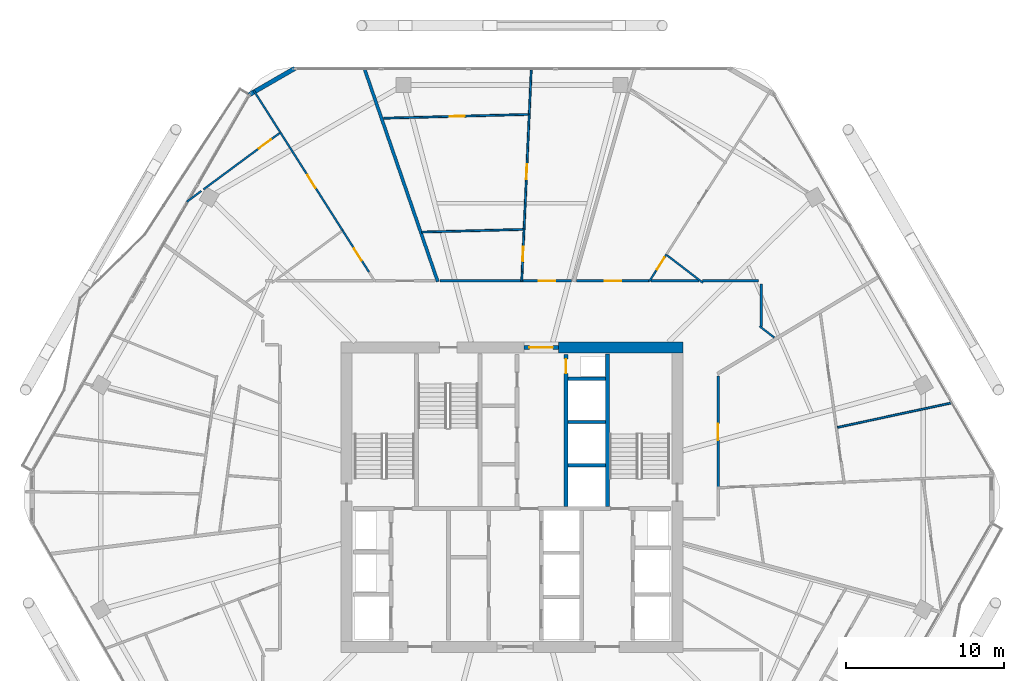
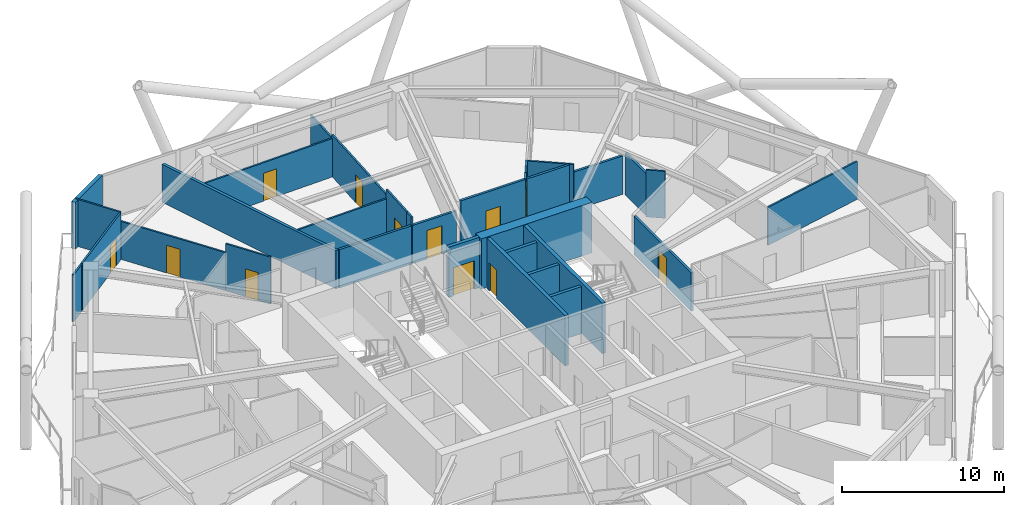
# One storey, part 24 of 28: 32 walls, 12 doors, 12 openings.
"""IFC4 building model written with IfcOpenShell, lengths in metres."""

from ifc_helpers import new_model, si_unit, direction, frame, frame_2d, origin, place, context, subcontext, project, spatial, rectangle, extrude, material, layer, layer_set, type_object, element, fill, save


model = new_model("IFC4")

# Units and contexts
model_context = context("Model", 3, precision=1e-05, world=origin(), true_north=direction((0.0, 1.0)))
body_context = subcontext(model_context, "Body", "Model", "MODEL_VIEW")
ifc_project = project(units=[si_unit("LENGTHUNIT", "METRE"), si_unit("AREAUNIT", "SQUARE_METRE"), si_unit("VOLUMEUNIT", "CUBIC_METRE"), si_unit("PLANEANGLEUNIT", "RADIAN"), si_unit("MASSUNIT", "GRAM", prefix="KILO")], contexts=[model_context])

# Site, building, storey
site_placement = place(None, origin())
site = spatial("IfcSite", under=ifc_project, at=site_placement, CompositionType="ELEMENT")
building_placement = place(site_placement, origin())
building = spatial("IfcBuilding", under=site, at=building_placement, Name="Zuhravey Tower", CompositionType="ELEMENT")
storey_placement = place(building_placement, frame((0.0, 0.0, 199.800048828125)))
storey = spatial("IfcBuildingStorey", under=building, at=storey_placement, Name="L50", CompositionType="ELEMENT", Elevation=199.800048828125)

# Wall
ifc_material_1 = material(Name="Concrete C60/75", Category="concrete")
ifc_layer_1 = layer(ifc_material_1, 0.699951171875)
ifc_layer_set_1 = layer_set([ifc_layer_1], Name="Concrete C60/75")
wall_type_1 = type_object("IfcWallType", Name="Core Shear Wall 700", PredefinedType="SHEAR", material=ifc_layer_set_1)
wall_1_placement = place(storey_placement, frame((46.85009765625, 41.5, 0.0), z_axis=(0.0, 0.0, 1.0), x_axis=(-1.0, 0.0, 0.0)))
element("IfcWall", 1, at=wall_1_placement, inside=storey, type_object=wall_type_1, Name="L50 North-East Core Shear Wall CW70", PredefinedType="SHEAR", context=body_context, shape_type="SweptSolid", body=[
    extrude(rectangle(XDim=7.900146484375, YDim=0.699951171875, at=frame_2d((3.9501953125, 0.0))), origin(), (0.0, 0.0, 1.0), 3.800048828125),
])

# Wall, opening, door
ifc_material_2 = material(Name="Gypsum fire-rated stud partition")
ifc_layer_2 = layer(ifc_material_2, 0.159912109375)
ifc_layer_set_2 = layer_set([ifc_layer_2], Name="Gypsum fire-rated stud partition")
wall_type_2 = type_object("IfcWallType", Name="Corridor Fire Partition 160", PredefinedType="PARTITIONING", material=ifc_layer_set_2)
wall_2_placement = place(storey_placement, frame((44.709716796875, 45.72998046875, 0.0), z_axis=(0.0, 0.0, 1.0), x_axis=(-1.0, 0.0, 0.0)))
wall_2 = element("IfcWall", 2, at=wall_2_placement, inside=storey, type_object=wall_type_2, Name="L50 IW16 Partition 024", PredefinedType="PARTITIONING", context=body_context, shape_type="SweptSolid", body=[
    extrude(rectangle(XDim=4.621826171875, YDim=0.159912109375, at=frame_2d((2.31103515625, 0.0))), origin(), (0.0, 0.0, 1.0), 3.550048828125),
])
opening_1_placement = place(wall_2_placement, frame((1.785888671875, 0.0, 0.0)))
opening_1 = element("IfcOpeningElement", 3, at=opening_1_placement, cuts=wall_2, Name="Opening APD1", PredefinedType="OPENING", context=body_context, shape_type="SweptSolid", body=[
    extrude(rectangle(XDim=1.050048828125, YDim=2.14990234375, at=frame_2d((0.52490234375, 1.074951171875))), frame((0.0, 0.092041015625, 0.0), z_axis=(0.0, -1.0, 0.0), x_axis=(1.0, 0.0, 0.0)), (0.0, 0.0, 1.0), 0.183837890625),
])
ifc_material_3 = material(Name="Solid-core oak fire-rated leaf")
door_type_1 = type_object("IfcDoorType", Name="Apartment Entrance Fire Door 1050x2150", OperationType="NOTDEFINED", PredefinedType="DOOR", material=ifc_material_3)
door_1_placement = place(opening_1_placement, frame((1.050048828125, 0.0, 0.0), z_axis=(0.0, 0.0, 1.0), x_axis=(-1.0, 0.0, 0.0)))
door_1 = element("IfcDoor", 4, at=door_1_placement, inside=storey, type_object=door_type_1, Name="L50 Door 024.1", OperationType="SINGLE_SWING_RIGHT", OverallHeight=2.14990234375, OverallWidth=1.050048828125, PredefinedType="DOOR", context=body_context, shape_type="SweptSolid", body=[
    extrude(rectangle(XDim=1.050048828125, YDim=2.14990234375, at=frame_2d((0.52490234375, 1.074951171875))), frame((0.0, 0.02490234375, 0.0), z_axis=(0.0, -1.0, 0.0), x_axis=(1.0, 0.0, 0.0)), (0.0, 0.0, 1.0), 0.050048828125),
])
fill(opening_1, door_1)

wall_3_placement = place(storey_placement, frame((39.786865234375, 45.72998046875, 0.0), z_axis=(0.0, 0.0, 1.0), x_axis=(-1.0, 0.0, 0.0)))
wall_3 = element("IfcWall", 5, at=wall_3_placement, inside=storey, type_object=wall_type_2, Name="L50 IW16 Partition 028", PredefinedType="PARTITIONING", context=body_context, shape_type="SweptSolid", body=[
    extrude(rectangle(XDim=3.148193359375, YDim=0.159912109375, at=frame_2d((1.57421875, 0.0))), origin(), (0.0, 0.0, 1.0), 2.89990234375),
])
opening_2_placement = place(wall_3_placement, frame((1.049072265625, 0.0, 0.0)))
opening_2 = element("IfcOpeningElement", 6, at=opening_2_placement, cuts=wall_3, Name="Opening APD1", PredefinedType="OPENING", context=body_context, shape_type="SweptSolid", body=[
    extrude(rectangle(XDim=1.050048828125, YDim=2.14990234375, at=frame_2d((0.52490234375, 1.074951171875))), frame((0.0, 0.092041015625, 0.0), z_axis=(0.0, -1.0, 0.0), x_axis=(1.0, 0.0, 0.0)), (0.0, 0.0, 1.0), 0.183837890625),
])
door_2_placement = place(opening_2_placement, frame((1.050048828125, 0.0, 0.0), z_axis=(0.0, 0.0, 1.0), x_axis=(-1.0, 0.0, 0.0)))
door_2 = element("IfcDoor", 7, at=door_2_placement, inside=storey, type_object=door_type_1, Name="L50 Door 028.1", OperationType="SINGLE_SWING_RIGHT", OverallHeight=2.14990234375, OverallWidth=1.050048828125, PredefinedType="DOOR", context=body_context, shape_type="SweptSolid", body=[
    extrude(rectangle(XDim=1.050048828125, YDim=2.14990234375, at=frame_2d((0.52490234375, 1.074951171875))), frame((0.0, 0.02490234375, 0.0), z_axis=(0.0, -1.0, 0.0), x_axis=(1.0, 0.0, 0.0)), (0.0, 0.0, 1.0), 0.050048828125),
])
fill(opening_2, door_2)

wall_4_placement = place(storey_placement, frame((49.080078125, 32.614013671875, 0.0), z_axis=(0.0, 0.0, 1.0), x_axis=(0.0, 1.0, 0.0)))
wall_4 = element("IfcWall", 8, at=wall_4_placement, inside=storey, type_object=wall_type_2, Name="L50 IW16 Partition 056", PredefinedType="PARTITIONING", context=body_context, shape_type="SweptSolid", body=[
    extrude(rectangle(XDim=7.0673828125, YDim=0.159912109375, at=frame_2d((3.53369140625, 0.0))), origin(), (0.0, 0.0, 1.0), 2.89990234375),
])
opening_3_placement = place(wall_4_placement, frame((3.0087890625, 0.0, 0.0)))
opening_3 = element("IfcOpeningElement", 9, at=opening_3_placement, cuts=wall_4, Name="Opening APD1", PredefinedType="OPENING", context=body_context, shape_type="SweptSolid", body=[
    extrude(rectangle(XDim=1.050048828125, YDim=2.14990234375, at=frame_2d((0.52490234375, 1.074951171875))), frame((0.0, 0.092041015625, 0.0), z_axis=(0.0, -1.0, 0.0), x_axis=(1.0, 0.0, 0.0)), (0.0, 0.0, 1.0), 0.183837890625),
])
door_3_placement = place(opening_3_placement, frame((1.050048828125, 0.0, 0.0), z_axis=(0.0, 0.0, 1.0), x_axis=(-1.0, 0.0, 0.0)))
door_3 = element("IfcDoor", 10, at=door_3_placement, inside=storey, type_object=door_type_1, Name="L50 Door 056.1", OperationType="SINGLE_SWING_LEFT", OverallHeight=2.14990234375, OverallWidth=1.050048828125, PredefinedType="DOOR", context=body_context, shape_type="SweptSolid", body=[
    extrude(rectangle(XDim=1.050048828125, YDim=2.14990234375, at=frame_2d((0.52490234375, 1.074951171875))), frame((0.0, 0.02490234375, 0.0), z_axis=(0.0, -1.0, 0.0), x_axis=(1.0, 0.0, 0.0)), (0.0, 0.0, 1.0), 0.050048828125),
])
fill(opening_3, door_3)

# Walls
wall_5_placement = place(storey_placement, frame((47.85791015625, 45.72998046875, 0.0), z_axis=(0.0, 0.0, 1.0), x_axis=(-1.0, 0.0, 0.0)))
element("IfcWall", 11, at=wall_5_placement, inside=storey, type_object=wall_type_2, Name="L50 IW16 Partition 119", PredefinedType="PARTITIONING", context=body_context, shape_type="SweptSolid", body=[
    extrude(rectangle(XDim=3.043701171875, YDim=0.159912109375, at=frame_2d((1.52197265625, 0.0))), origin(), (0.0, 0.0, 1.0), 3.550048828125),
])
wall_6_placement = place(storey_placement, frame((51.64990234375, 45.72998046875, 0.0), z_axis=(0.0, 0.0, 1.0), x_axis=(-1.0, 0.0, 0.0)))
element("IfcWall", 12, at=wall_6_placement, inside=storey, type_object=wall_type_2, Name="L50 IW16 Partition 120", PredefinedType="PARTITIONING", context=body_context, shape_type="SweptSolid", body=[
    extrude(rectangle(XDim=3.568603515625, YDim=0.159912109375, at=frame_2d((1.7841796875, 0.0))), origin(), (0.0, 0.0, 1.0), 2.89990234375),
])
wall_7_placement = place(storey_placement, frame((51.830078125, 42.853515625, 0.0), z_axis=(0.0, 0.0, 1.0), x_axis=(0.0, 1.0, 0.0)))
element("IfcWall", 13, at=wall_7_placement, inside=storey, type_object=wall_type_2, Name="L50 IW16 Partition 121", PredefinedType="PARTITIONING", context=body_context, shape_type="SweptSolid", body=[
    extrude(rectangle(XDim=2.696533203125, YDim=0.159912109375, at=frame_2d((1.34814453125, 0.0))), origin(), (0.0, 0.0, 1.0), 3.14990234375),
])
wall_8_placement = place(storey_placement, frame((36.550537109375, 45.72998046875, 0.0), z_axis=(0.0, 0.0, 1.0), x_axis=(-1.0, 0.0, 0.0)))
element("IfcWall", 14, at=wall_8_placement, inside=storey, type_object=wall_type_2, Name="L50 IW16 Partition 122", PredefinedType="PARTITIONING", context=body_context, shape_type="SweptSolid", body=[
    extrude(rectangle(XDim=5.12353515625, YDim=0.159912109375, at=frame_2d((2.561767578125, 0.0))), origin(), (0.0, 0.0, 1.0), 2.89990234375),
])
ifc_material_4 = material(Name="Precast concrete C40/50", Category="concrete")
ifc_layer_3 = layer(ifc_material_4, 0.280029296875)
ifc_layer_set_3 = layer_set([ifc_layer_3], Name="Precast concrete C40/50")
wall_type_3 = type_object("IfcWallType", Name="Crown Architectural Wall 280", PredefinedType="SOLIDWALL", material=ifc_layer_set_3)
wall_9_placement = place(storey_placement, frame((19.306884765625, 57.548095703125, 0.0), z_axis=(0.0, 0.0, 1.0), x_axis=(0.866020068361, 0.500009241111, 0.0)))
element("IfcWall", 15, at=wall_9_placement, inside=storey, type_object=wall_type_3, Name="L50 Rounded Corner Closure Wall EW28-08", PredefinedType="SOLIDWALL", context=body_context, shape_type="SweptSolid", body=[
    extrude(rectangle(XDim=3.365234375, YDim=0.280029296875, at=frame_2d((1.6826171875, 0.0))), origin(), (0.0, 0.0, 1.0), 3.550048828125),
])

# Wall, opening, door
ifc_material_5 = material(Name="Concrete C50/60", Category="concrete")
ifc_layer_4 = layer(ifc_material_5, 0.25)
ifc_layer_set_4 = layer_set([ifc_layer_4], Name="Concrete C50/60")
wall_type_4 = type_object("IfcWallType", Name="Firefighting Shaft & Stair Wall 250", PredefinedType="SOLIDWALL", material=ifc_layer_set_4)
wall_10_placement = place(storey_placement, frame((36.760009765625, 41.5, 0.0), z_axis=(0.0, 0.0, 1.0), x_axis=(1.0, 0.0, 0.0)))
wall_10 = element("IfcWall", 16, at=wall_10_placement, inside=storey, type_object=wall_type_4, Name="L50 FW25 Shaft Wall 002", PredefinedType="SOLIDWALL", context=body_context, shape_type="SweptSolid", body=[
    extrude(rectangle(XDim=2.179931640625, YDim=0.25, at=frame_2d((1.08984375, 0.0))), origin(), (0.0, 0.0, 1.0), 3.800048828125),
])
opening_4_placement = place(wall_10_placement, frame((0.340087890625, 0.0, 0.0)))
opening_4 = element("IfcOpeningElement", 17, at=opening_4_placement, cuts=wall_10, Name="Opening FFD1", PredefinedType="OPENING", context=body_context, shape_type="SweptSolid", body=[
    extrude(rectangle(XDim=1.5, YDim=2.14990234375, at=frame_2d((0.75, 1.074951171875))), frame((0.0, 0.136962890625, 0.0), z_axis=(0.0, -1.0, 0.0), x_axis=(1.0, 0.0, 0.0)), (0.0, 0.0, 1.0), 0.27392578125),
])
ifc_material_6 = material(Name="Galvanised fire-rated steel leaf", Category="steel")
door_type_2 = type_object("IfcDoorType", Name="Firefighting Lobby Double Door 1500x2150", OperationType="DOUBLE_DOOR_SINGLE_SWING", PredefinedType="DOOR", material=ifc_material_6)
door_4_placement = place(opening_4_placement, origin())
door_4 = element("IfcDoor", 18, at=door_4_placement, inside=storey, type_object=door_type_2, Name="L50 North Lift Lobby Exit Door", OperationType="DOUBLE_DOOR_SINGLE_SWING", OverallHeight=2.14990234375, OverallWidth=1.5, PredefinedType="DOOR", context=body_context, shape_type="SweptSolid", body=[
    extrude(rectangle(XDim=1.5, YDim=2.14990234375, at=frame_2d((0.75, 1.074951171875))), frame((0.0, 0.02490234375, 0.0), z_axis=(0.0, -1.0, 0.0), x_axis=(1.0, 0.0, 0.0)), (0.0, 0.0, 1.0), 0.050048828125),
])
fill(opening_4, door_4)

# Wall
wall_11_placement = place(storey_placement, frame((42.074951171875, 31.39990234375, 0.0), z_axis=(0.0, 0.0, 1.0), x_axis=(0.0, 1.0, 0.0)))
element("IfcWall", 19, at=wall_11_placement, inside=storey, type_object=wall_type_4, Name="L50 FW25 Shaft Wall 006", PredefinedType="SOLIDWALL", context=body_context, shape_type="SweptSolid", body=[
    extrude(rectangle(XDim=9.7001953125, YDim=0.25, at=frame_2d((4.85009765625, 0.0))), origin(), (0.0, 0.0, 1.0), 3.800048828125),
])

# Wall, opening, door
wall_12_placement = place(storey_placement, frame((39.425048828125, 31.39990234375, 0.0), z_axis=(0.0, 0.0, 1.0), x_axis=(0.0, 1.0, 0.0)))
wall_12 = element("IfcWall", 20, at=wall_12_placement, inside=storey, type_object=wall_type_4, Name="L50 FW25 Shaft Wall 008", PredefinedType="SOLIDWALL", context=body_context, shape_type="SweptSolid", body=[
    extrude(rectangle(XDim=9.650146484375, YDim=0.25, at=frame_2d((4.8251953125, 0.0))), origin(), (0.0, 0.0, 1.0), 3.800048828125),
])
opening_5_placement = place(wall_12_placement, frame((8.469970703125, 0.0, 0.0)))
opening_5 = element("IfcOpeningElement", 21, at=opening_5_placement, cuts=wall_12, Name="Opening RSD1", PredefinedType="OPENING", context=body_context, shape_type="SweptSolid", body=[
    extrude(rectangle(XDim=0.89990234375, YDim=2.10009765625, at=frame_2d((0.449951171875, 1.050048828125))), frame((0.0, 0.136962890625, 0.0), z_axis=(0.0, -1.0, 0.0), x_axis=(1.0, 0.0, 0.0)), (0.0, 0.0, 1.0), 0.27392578125),
])
ifc_material_7 = material(Name="Galvanised fire-rated steel access leaf", Category="steel")
door_type_3 = type_object("IfcDoorType", Name="Riser & Shaft Access Fire Door 900x2100", OperationType="NOTDEFINED", PredefinedType="DOOR", material=ifc_material_7)
door_5_placement = place(opening_5_placement, origin())
door_5 = element("IfcDoor", 22, at=door_5_placement, inside=storey, type_object=door_type_3, Name="L50 North Riser Door", OperationType="SINGLE_SWING_RIGHT", OverallHeight=2.10009765625, OverallWidth=0.89990234375, PredefinedType="DOOR", context=body_context, shape_type="SweptSolid", body=[
    extrude(rectangle(XDim=0.89990234375, YDim=2.10009765625, at=frame_2d((0.449951171875, 1.050048828125))), frame((0.0, 0.02490234375, 0.0), z_axis=(0.0, -1.0, 0.0), x_axis=(1.0, 0.0, 0.0)), (0.0, 0.0, 1.0), 0.050048828125),
])
fill(opening_5, door_5)

# Walls
ifc_material_8 = material(Name="Gypsum double-stud party assembly")
ifc_layer_5 = layer(ifc_material_8, 0.199951171875)
ifc_layer_set_5 = layer_set([ifc_layer_5], Name="Gypsum double-stud party assembly")
wall_type_5 = type_object("IfcWallType", Name="Inter-Tenancy Party Wall 200", PredefinedType="PARTITIONING", material=ifc_layer_set_5)
wall_13_placement = place(storey_placement, frame((31.2861328125, 45.68994140625, 0.0), z_axis=(0.0, 0.0, 1.0), x_axis=(-0.325563588547, 0.945520147756, 0.0)))
element("IfcWall", 23, at=wall_13_placement, inside=storey, type_object=wall_type_5, Name="L50 IW20 Partition 076", PredefinedType="PARTITIONING", context=body_context, shape_type="SweptSolid", body=[
    extrude(rectangle(XDim=14.2705078125, YDim=0.199951171875, at=frame_2d((7.13525390625, 0.0))), origin(), (0.0, 0.0, 1.0), 2.869873046875),
])
ifc_material_9 = material(Name="Gypsum acoustic stud assembly")
ifc_layer_6 = layer(ifc_material_9, 0.219970703125)
ifc_layer_set_6 = layer_set([ifc_layer_6], Name="Gypsum acoustic stud assembly")
wall_type_6 = type_object("IfcWallType", Name="School Acoustic Compartment Wall 220", PredefinedType="PARTITIONING", material=ifc_layer_set_6)
for number, where, z_axis, x_axis, name in (
    (24, (39.55810546875, 34.02490234375, 0.0), (0.0, 0.0, 1.0), (1.0, 0.0, 0.0), "L50 IW22 Partition 059"),
    (25, (39.55810546875, 36.77490234375, 0.0), (0.0, 0.0, 1.0), (1.0, 0.0, 0.0), "L50 IW22 Partition 060"),
    (26, (39.55810546875, 39.52490234375, 0.0), (0.0, 0.0, 1.0), (1.0, 0.0, 0.0), "L50 IW22 Partition 061"),
):
    element("IfcWall", number, at=place(storey_placement, frame(where, z_axis=z_axis, x_axis=x_axis)), inside=storey, type_object=wall_type_6, Name=name, PredefinedType="PARTITIONING", context=body_context, shape_type="SweptSolid", body=[
        extrude(rectangle(XDim=2.3837890625, YDim=0.219970703125, at=frame_2d((1.19189453125, 0.0))), origin(), (0.0, 0.0, 1.0), 3.550048828125),
    ])

# Wall, opening, door
ifc_material_10 = material(Name="Gypsum metal-stud partition")
ifc_layer_7 = layer(ifc_material_10, 0.1201171875)
ifc_layer_set_7 = layer_set([ifc_layer_7], Name="Gypsum metal-stud partition")
wall_type_7 = type_object("IfcWallType", Name="Unit Internal Partition 120", PredefinedType="PARTITIONING", material=ifc_layer_set_7)
wall_14_placement = place(storey_placement, frame((45.09619140625, 46.300048828125, 0.0), z_axis=(0.0, 0.0, 1.0), x_axis=(0.53661359275, 0.843828093913, 0.0)))
wall_14 = element("IfcWall", 27, at=wall_14_placement, inside=storey, type_object=wall_type_7, Name="L50 IW12 Partition 020", PredefinedType="PARTITIONING", context=body_context, shape_type="SweptSolid", body=[
    extrude(rectangle(XDim=1.3271484375, YDim=0.1201171875, at=frame_2d((0.66357421875, 0.0))), origin(), (0.0, 0.0, 1.0), 3.550048828125),
])
opening_6_placement = place(wall_14_placement, frame((0.199951171875, 0.0, 0.0)))
opening_6 = element("IfcOpeningElement", 28, at=opening_6_placement, cuts=wall_14, Name="Opening WCD1", PredefinedType="OPENING", context=body_context, shape_type="SweptSolid", body=[
    extrude(rectangle(XDim=0.89990234375, YDim=2.10009765625, at=frame_2d((0.449951171875, 1.050048828125))), frame((0.0, 0.072021484375, 0.0), z_axis=(0.0, -1.0, 0.0), x_axis=(1.0, 0.0, 0.0)), (0.0, 0.0, 1.0), 0.14404296875),
])
ifc_material_11 = material(Name="Moisture-resistant timber leaf", Category="wood")
door_type_4 = type_object("IfcDoorType", Name="Bathroom & WC Internal Door 900x2100", OperationType="NOTDEFINED", PredefinedType="DOOR", material=ifc_material_11)
door_6_placement = place(opening_6_placement, frame((0.89990234375, 0.0, 0.0), z_axis=(0.0, 0.0, 1.0), x_axis=(-1.0, 0.0, 0.0)))
door_6 = element("IfcDoor", 29, at=door_6_placement, inside=storey, type_object=door_type_4, Name="Apartment L50-01 Bathroom Door", OperationType="SINGLE_SWING_LEFT", OverallHeight=2.10009765625, OverallWidth=0.89990234375, PredefinedType="DOOR", context=body_context, shape_type="SweptSolid", body=[
    extrude(rectangle(XDim=0.89990234375, YDim=2.10009765625, at=frame_2d((0.449951171875, 1.050048828125))), frame((0.0, 0.02490234375, 0.0), z_axis=(0.0, -1.0, 0.0), x_axis=(1.0, 0.0, 0.0)), (0.0, 0.0, 1.0), 0.050048828125),
])
fill(opening_6, door_6)

wall_15_placement = place(storey_placement, frame((36.644287109375, 46.300048828125, 0.0), z_axis=(0.0, 0.0, 1.0), x_axis=(0.045050848812, 0.998984695089, 0.0)))
wall_15 = element("IfcWall", 30, at=wall_15_placement, inside=storey, type_object=wall_type_7, Name="L50 IW12 Partition 025", PredefinedType="PARTITIONING", context=body_context, shape_type="SweptSolid", body=[
    extrude(rectangle(XDim=2.731201171875, YDim=0.1201171875, at=frame_2d((1.36572265625, 0.0))), origin(), (0.0, 0.0, 1.0), 3.550048828125),
])
opening_7_placement = place(wall_15_placement, frame((0.697265625, 0.0, 0.0)))
opening_7 = element("IfcOpeningElement", 31, at=opening_7_placement, cuts=wall_15, Name="Opening WCD1", PredefinedType="OPENING", context=body_context, shape_type="SweptSolid", body=[
    extrude(rectangle(XDim=0.89990234375, YDim=2.10009765625, at=frame_2d((0.449951171875, 1.050048828125))), frame((0.0, 0.072021484375, 0.0), z_axis=(0.0, -1.0, 0.0), x_axis=(1.0, 0.0, 0.0)), (0.0, 0.0, 1.0), 0.14404296875),
])
door_7_placement = place(opening_7_placement, origin())
door_7 = element("IfcDoor", 32, at=door_7_placement, inside=storey, type_object=door_type_4, Name="Apartment L50-02 Bathroom Door", OperationType="SINGLE_SWING_LEFT", OverallHeight=2.10009765625, OverallWidth=0.89990234375, PredefinedType="DOOR", context=body_context, shape_type="SweptSolid", body=[
    extrude(rectangle(XDim=0.89990234375, YDim=2.10009765625, at=frame_2d((0.449951171875, 1.050048828125))), frame((0.0, 0.02490234375, 0.0), z_axis=(0.0, -1.0, 0.0), x_axis=(1.0, 0.0, 0.0)), (0.0, 0.0, 1.0), 0.050048828125),
])
fill(opening_7, door_7)

wall_16_placement = place(storey_placement, frame((36.767333984375, 49.028564453125, 0.0), z_axis=(0.0, 0.0, 1.0), x_axis=(0.044997012293, 0.998987121481, 0.0)))
wall_16 = element("IfcWall", 33, at=wall_16_placement, inside=storey, type_object=wall_type_7, Name="L50 IW12 Partition 026", PredefinedType="PARTITIONING", context=body_context, shape_type="SweptSolid", body=[
    extrude(rectangle(XDim=7.308349609375, YDim=0.1201171875, at=frame_2d((3.654296875, 0.0))), origin(), (0.0, 0.0, 1.0), 3.14990234375),
])
opening_8_placement = place(wall_16_placement, frame((3.154296875, 0.0, 0.0)))
opening_8 = element("IfcOpeningElement", 34, at=opening_8_placement, cuts=wall_16, Name="Opening IND1", PredefinedType="OPENING", context=body_context, shape_type="SweptSolid", body=[
    extrude(rectangle(XDim=0.949951171875, YDim=2.10009765625, at=frame_2d((0.47509765625, 1.050048828125))), frame((0.0, 0.072021484375, 0.0), z_axis=(0.0, -1.0, 0.0), x_axis=(1.0, 0.0, 0.0)), (0.0, 0.0, 1.0), 0.14404296875),
])
ifc_material_12 = material(Name="Painted engineered timber leaf", Category="wood")
door_type_5 = type_object("IfcDoorType", Name="Internal Room & Bedroom Door 950x2100", OperationType="NOTDEFINED", PredefinedType="DOOR", material=ifc_material_12)
door_8_placement = place(opening_8_placement, origin())
door_8 = element("IfcDoor", 35, at=door_8_placement, inside=storey, type_object=door_type_5, Name="Apartment L50-02 Home Office Door", OperationType="SINGLE_SWING_RIGHT", OverallHeight=2.10009765625, OverallWidth=0.949951171875, PredefinedType="DOOR", context=body_context, shape_type="SweptSolid", body=[
    extrude(rectangle(XDim=0.949951171875, YDim=2.10009765625, at=frame_2d((0.47509765625, 1.050048828125))), frame((0.0, 0.02490234375, 0.0), z_axis=(0.0, -1.0, 0.0), x_axis=(1.0, 0.0, 0.0)), (0.0, 0.0, 1.0), 0.050048828125),
])
fill(opening_8, door_8)

wall_17_placement = place(storey_placement, frame((37.027099609375, 56.302734375, 0.0), z_axis=(0.0, 0.0, 1.0), x_axis=(-0.999657331669, -0.026176692676, 0.0)))
wall_17 = element("IfcWall", 36, at=wall_17_placement, inside=storey, type_object=wall_type_7, Name="L50 IW12 Partition 027", PredefinedType="PARTITIONING", context=body_context, shape_type="SweptSolid", body=[
    extrude(rectangle(XDim=9.186767578125, YDim=0.1201171875, at=frame_2d((4.59326171875, 0.0))), origin(), (0.0, 0.0, 1.0), 2.89990234375),
])
opening_9_placement = place(wall_17_placement, frame((4.0341796875, 0.0, 0.0)))
opening_9 = element("IfcOpeningElement", 37, at=opening_9_placement, cuts=wall_17, Name="Opening IND1", PredefinedType="OPENING", context=body_context, shape_type="SweptSolid", body=[
    extrude(rectangle(XDim=0.949951171875, YDim=2.10009765625, at=frame_2d((0.47509765625, 1.050048828125))), frame((0.0, 0.072021484375, 0.0), z_axis=(0.0, -1.0, 0.0), x_axis=(1.0, 0.0, 0.0)), (0.0, 0.0, 1.0), 0.14404296875),
])
door_9_placement = place(opening_9_placement, frame((0.949951171875, 0.0, 0.0), z_axis=(0.0, 0.0, 1.0), x_axis=(-1.0, 0.0, 0.0)))
door_9 = element("IfcDoor", 38, at=door_9_placement, inside=storey, type_object=door_type_5, Name="Apartment L50-02 Bedroom 1 Door", OperationType="SINGLE_SWING_LEFT", OverallHeight=2.10009765625, OverallWidth=0.949951171875, PredefinedType="DOOR", context=body_context, shape_type="SweptSolid", body=[
    extrude(rectangle(XDim=0.949951171875, YDim=2.10009765625, at=frame_2d((0.47509765625, 1.050048828125))), frame((0.0, 0.02490234375, 0.0), z_axis=(0.0, -1.0, 0.0), x_axis=(1.0, 0.0, 0.0)), (0.0, 0.0, 1.0), 0.050048828125),
])
fill(opening_9, door_9)

wall_18_placement = place(storey_placement, frame((26.91796875, 46.300048828125, 0.0), z_axis=(0.0, 0.0, 1.0), x_axis=(-0.53615662064, 0.844118521384, 0.0)))
wall_18 = element("IfcWall", 39, at=wall_18_placement, inside=storey, type_object=wall_type_7, Name="L50 IW12 Partition 029", PredefinedType="PARTITIONING", context=body_context, shape_type="SweptSolid", body=[
    extrude(rectangle(XDim=3.143310546875, YDim=0.1201171875, at=frame_2d((1.57177734375, 0.0))), origin(), (0.0, 0.0, 1.0), 3.550048828125),
])
opening_10_placement = place(wall_18_placement, frame((0.8701171875, 0.0, 0.0)))
opening_10 = element("IfcOpeningElement", 40, at=opening_10_placement, cuts=wall_18, Name="Opening WCD1", PredefinedType="OPENING", context=body_context, shape_type="SweptSolid", body=[
    extrude(rectangle(XDim=0.89990234375, YDim=2.10009765625, at=frame_2d((0.449951171875, 1.050048828125))), frame((0.0, 0.072021484375, 0.0), z_axis=(0.0, -1.0, 0.0), x_axis=(1.0, 0.0, 0.0)), (0.0, 0.0, 1.0), 0.14404296875),
])
door_10_placement = place(opening_10_placement, origin())
door_10 = element("IfcDoor", 41, at=door_10_placement, inside=storey, type_object=door_type_4, Name="Apartment L50-03 Bathroom Door", OperationType="SINGLE_SWING_LEFT", OverallHeight=2.10009765625, OverallWidth=0.89990234375, PredefinedType="DOOR", context=body_context, shape_type="SweptSolid", body=[
    extrude(rectangle(XDim=0.89990234375, YDim=2.10009765625, at=frame_2d((0.449951171875, 1.050048828125))), frame((0.0, 0.02490234375, 0.0), z_axis=(0.0, -1.0, 0.0), x_axis=(1.0, 0.0, 0.0)), (0.0, 0.0, 1.0), 0.050048828125),
])
fill(opening_10, door_10)

wall_19_placement = place(storey_placement, frame((25.23291015625, 48.953369140625, 0.0), z_axis=(0.0, 0.0, 1.0), x_axis=(-0.536123144508, 0.844139783403, 0.0)))
wall_19 = element("IfcWall", 42, at=wall_19_placement, inside=storey, type_object=wall_type_7, Name="L50 IW12 Partition 030", PredefinedType="PARTITIONING", context=body_context, shape_type="SweptSolid", body=[
    extrude(rectangle(XDim=7.3720703125, YDim=0.1201171875, at=frame_2d((3.68603515625, 0.0))), origin(), (0.0, 0.0, 1.0), 2.869873046875),
])
opening_11_placement = place(wall_19_placement, frame((3.18603515625, 0.0, 0.0)))
opening_11 = element("IfcOpeningElement", 43, at=opening_11_placement, cuts=wall_19, Name="Opening IND1", PredefinedType="OPENING", context=body_context, shape_type="SweptSolid", body=[
    extrude(rectangle(XDim=0.949951171875, YDim=2.10009765625, at=frame_2d((0.47509765625, 1.050048828125))), frame((0.0, 0.072021484375, 0.0), z_axis=(0.0, -1.0, 0.0), x_axis=(1.0, 0.0, 0.0)), (0.0, 0.0, 1.0), 0.14404296875),
])
door_11_placement = place(opening_11_placement, origin())
door_11 = element("IfcDoor", 44, at=door_11_placement, inside=storey, type_object=door_type_5, Name="Apartment L50-03 Home Office Door", OperationType="SINGLE_SWING_RIGHT", OverallHeight=2.10009765625, OverallWidth=0.949951171875, PredefinedType="DOOR", context=body_context, shape_type="SweptSolid", body=[
    extrude(rectangle(XDim=0.949951171875, YDim=2.10009765625, at=frame_2d((0.47509765625, 1.050048828125))), frame((0.0, 0.02490234375, 0.0), z_axis=(0.0, -1.0, 0.0), x_axis=(1.0, 0.0, 0.0)), (0.0, 0.0, 1.0), 0.050048828125),
])
fill(opening_11, door_11)

wall_20_placement = place(storey_placement, frame((21.239013671875, 55.11474609375, 0.0), z_axis=(0.0, 0.0, 1.0), x_axis=(-0.803850838381, -0.594830925251, 0.0)))
wall_20 = element("IfcWall", 45, at=wall_20_placement, inside=storey, type_object=wall_type_7, Name="L50 IW12 Partition 031", PredefinedType="PARTITIONING", context=body_context, shape_type="SweptSolid", body=[
    extrude(rectangle(XDim=6.007080078125, YDim=0.1201171875, at=frame_2d((3.00341796875, 0.0))), origin(), (0.0, 0.0, 1.0), 3.550048828125),
])
opening_12_placement = place(wall_20_placement, frame((0.684326171875, 0.0, 0.0)))
opening_12 = element("IfcOpeningElement", 46, at=opening_12_placement, cuts=wall_20, Name="Opening IND1", PredefinedType="OPENING", context=body_context, shape_type="SweptSolid", body=[
    extrude(rectangle(XDim=0.949951171875, YDim=2.10009765625, at=frame_2d((0.47509765625, 1.050048828125))), frame((0.0, 0.072021484375, 0.0), z_axis=(0.0, -1.0, 0.0), x_axis=(1.0, 0.0, 0.0)), (0.0, 0.0, 1.0), 0.14404296875),
])
door_12_placement = place(opening_12_placement, frame((0.949951171875, 0.0, 0.0), z_axis=(0.0, 0.0, 1.0), x_axis=(-1.0, 0.0, 0.0)))
door_12 = element("IfcDoor", 47, at=door_12_placement, inside=storey, type_object=door_type_5, Name="Apartment L50-03 Bedroom 1 Door", OperationType="SINGLE_SWING_LEFT", OverallHeight=2.10009765625, OverallWidth=0.949951171875, PredefinedType="DOOR", context=body_context, shape_type="SweptSolid", body=[
    extrude(rectangle(XDim=0.949951171875, YDim=2.10009765625, at=frame_2d((0.47509765625, 1.050048828125))), frame((0.0, 0.02490234375, 0.0), z_axis=(0.0, -1.0, 0.0), x_axis=(1.0, 0.0, 0.0)), (0.0, 0.0, 1.0), 0.050048828125),
])
fill(opening_12, door_12)

# Walls
wall_21_placement = place(storey_placement, frame((44.709716796875, 45.692626953125, 0.0), z_axis=(0.0, 0.0, 1.0), x_axis=(0.536809663503, 0.843703375108, 0.0)))
element("IfcWall", 48, at=wall_21_placement, inside=storey, type_object=wall_type_7, Name="L50 IW12 Partition 066", PredefinedType="PARTITIONING", context=body_context, shape_type="SweptSolid", body=[
    extrude(rectangle(XDim=0.719970703125, YDim=0.1201171875, at=frame_2d((0.35986328125, 0.0))), origin(), (0.0, 0.0, 1.0), 3.550048828125),
])
wall_22_placement = place(storey_placement, frame((52.656005859375, 42.134033203125, 0.0), z_axis=(0.0, 0.0, 1.0), x_axis=(-0.793293229655, 0.608839758708, 0.0)))
element("IfcWall", 49, at=wall_22_placement, inside=storey, type_object=wall_type_7, Name="L50 IW12 Partition 068", PredefinedType="PARTITIONING", context=body_context, shape_type="SweptSolid", body=[
    extrude(rectangle(XDim=1.192626953125, YDim=0.1201171875, at=frame_2d((0.59619140625, 0.0))), origin(), (0.0, 0.0, 1.0), 3.550048828125),
])
wall_23_placement = place(storey_placement, frame((48.126220703125, 45.610107421875, 0.0), z_axis=(0.0, 0.0, 1.0), x_axis=(-0.793388621377, 0.608715447043, 0.0)))
element("IfcWall", 50, at=wall_23_placement, inside=storey, type_object=wall_type_7, Name="L50 IW12 Partition 069", PredefinedType="PARTITIONING", context=body_context, shape_type="SweptSolid", body=[
    extrude(rectangle(XDim=2.8701171875, YDim=0.1201171875, at=frame_2d((1.43505859375, 0.0))), origin(), (0.0, 0.0, 1.0), 3.550048828125),
])
wall_24_placement = place(storey_placement, frame((36.61669921875, 45.68505859375, 0.0), z_axis=(0.0, 0.0, 1.0), x_axis=(0.0448140033, 0.998995347891, 0.0)))
element("IfcWall", 51, at=wall_24_placement, inside=storey, type_object=wall_type_7, Name="L50 IW12 Partition 073", PredefinedType="PARTITIONING", context=body_context, shape_type="SweptSolid", body=[
    extrude(rectangle(XDim=0.61572265625, YDim=0.1201171875, at=frame_2d((0.307861328125, 0.0))), origin(), (0.0, 0.0, 1.0), 3.550048828125),
])
wall_25_placement = place(storey_placement, frame((37.09619140625, 56.32958984375, 0.0), z_axis=(0.0, 0.0, 1.0), x_axis=(0.045051580252, 0.998984662103, 0.0)))
element("IfcWall", 52, at=wall_25_placement, inside=storey, type_object=wall_type_7, Name="L50 IW12 Partition 074", PredefinedType="PARTITIONING", context=body_context, shape_type="SweptSolid", body=[
    extrude(rectangle(XDim=2.861328125, YDim=0.1201171875, at=frame_2d((1.4306640625, 0.0))), origin(), (0.0, 0.0, 1.0), 2.869873046875),
])
wall_26_placement = place(storey_placement, frame((36.697998046875, 49.001953125, 0.0), z_axis=(0.0, 0.0, 1.0), x_axis=(-0.999656617152, -0.026203965041, 0.0)))
element("IfcWall", 53, at=wall_26_placement, inside=storey, type_object=wall_type_7, Name="L50 IW12 Partition 075", PredefinedType="PARTITIONING", context=body_context, shape_type="SweptSolid", body=[
    extrude(rectangle(XDim=6.43798828125, YDim=0.1201171875, at=frame_2d((3.218994140625, 0.0))), origin(), (0.0, 0.0, 1.0), 2.89990234375),
])
wall_27_placement = place(storey_placement, frame((21.280517578125, 55.176513671875, 0.0), z_axis=(0.0, 0.0, 1.0), x_axis=(-0.536125270128, 0.844138433392, 0.0)))
element("IfcWall", 54, at=wall_27_placement, inside=storey, type_object=wall_type_7, Name="L50 IW12 Partition 078", PredefinedType="PARTITIONING", context=body_context, shape_type="SweptSolid", body=[
    extrude(rectangle(XDim=3.159423828125, YDim=0.1201171875, at=frame_2d((1.57958984375, 0.0))), origin(), (0.0, 0.0, 1.0), 3.550048828125),
])
wall_28_placement = place(storey_placement, frame((16.279541015625, 51.445068359375, 0.0), z_axis=(0.0, 0.0, 1.0), x_axis=(-0.803825783306, -0.594864783033, 0.0)))
element("IfcWall", 55, at=wall_28_placement, inside=storey, type_object=wall_type_7, Name="L50 IW12 Partition 081", PredefinedType="PARTITIONING", context=body_context, shape_type="SweptSolid", body=[
    extrude(rectangle(XDim=1.158935546875, YDim=0.1201171875, at=frame_2d((0.57958984375, 0.0))), origin(), (0.0, 0.0, 1.0), 3.550048828125),
])
wall_29_placement = place(storey_placement, frame((56.661865234375, 36.432373046875, 0.0), z_axis=(0.0, 0.0, 1.0), x_axis=(0.977753085035, 0.209759158811, 0.0)))
element("IfcWall", 56, at=wall_29_placement, inside=storey, type_object=wall_type_7, Name="L50 IW12 Partition 115", PredefinedType="PARTITIONING", context=body_context, shape_type="SweptSolid", body=[
    extrude(rectangle(XDim=7.464111328125, YDim=0.1201171875, at=frame_2d((3.73193359375, 0.0))), origin(), (0.0, 0.0, 1.0), 2.869873046875),
])

save(model, "model.ifc")
